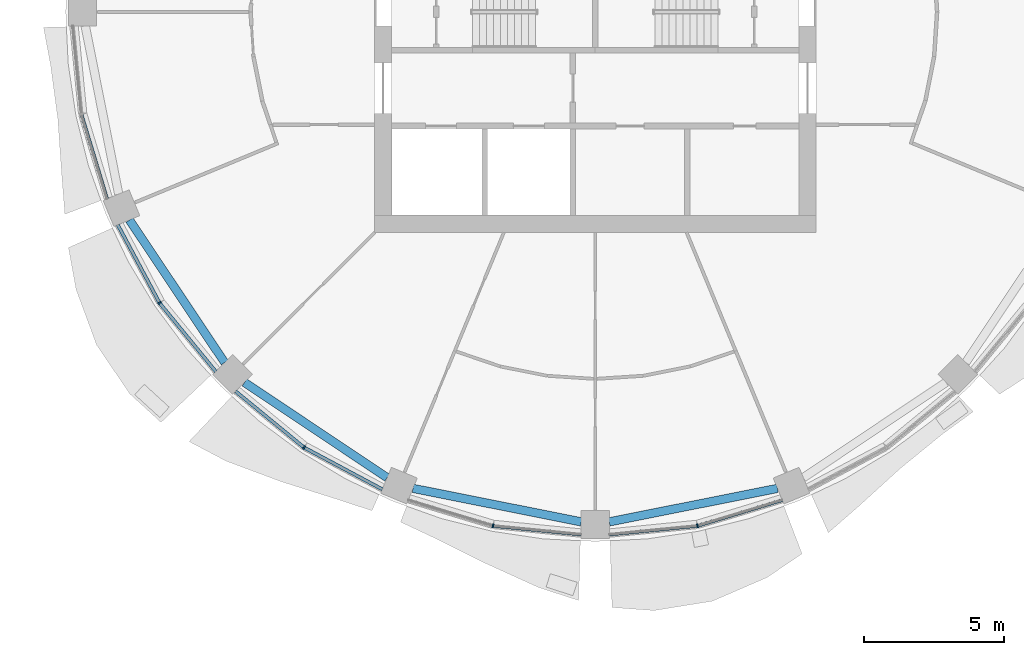
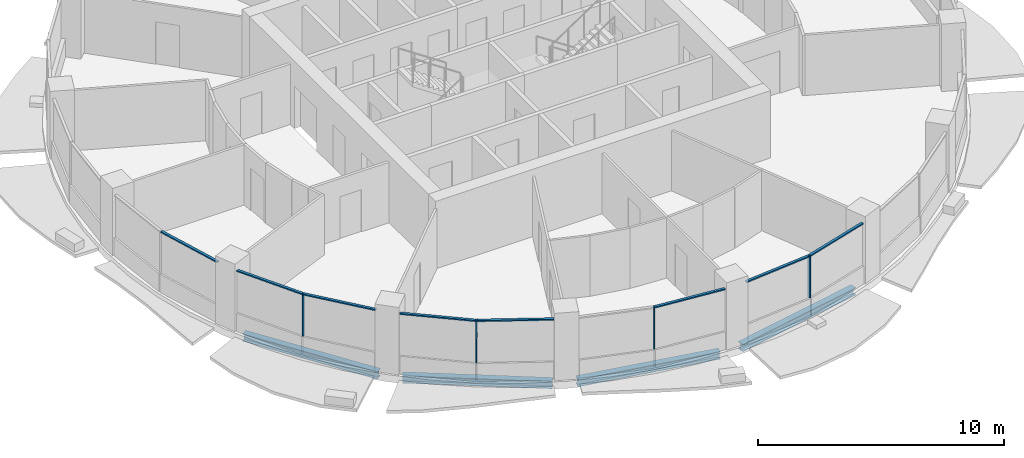
# One storey, part 2 of 14: 12 members, 4 beams, 5 elements without a shape of their own.
"""IFC4 building model written with IfcOpenShell, lengths in metres."""

from ifc_helpers import new_model, si_unit, direction, frame, origin, origin_2d, place, context, subcontext, project, spatial, rectangle, i_section, extrude, material, material_profile, profile_set, type_object, element, aggregate, save


model = new_model("IFC4")

# Units and contexts
model_context = context("Model", 3, precision=1e-05, world=origin(), true_north=direction((0.0, 1.0)))
body_context = subcontext(model_context, "Body", "Model", "MODEL_VIEW")
ifc_project = project(units=[si_unit("LENGTHUNIT", "METRE"), si_unit("AREAUNIT", "SQUARE_METRE"), si_unit("VOLUMEUNIT", "CUBIC_METRE"), si_unit("PLANEANGLEUNIT", "RADIAN"), si_unit("MASSUNIT", "GRAM", prefix="KILO")], contexts=[model_context])

# Site, building, storey
site_placement = place(None, origin())
site = spatial("IfcSite", under=ifc_project, at=site_placement, CompositionType="ELEMENT")
building_placement = place(site_placement, origin())
building = spatial("IfcBuilding", under=site, at=building_placement, Name="Polderwave Tower", CompositionType="ELEMENT")
storey_placement = place(building_placement, frame((0.0, 0.0, 147.75)))
storey = spatial("IfcBuildingStorey", under=building, at=storey_placement, Name="L39", CompositionType="ELEMENT", Elevation=147.75)

# Curtain wall, member
ifc_material_1 = material(Name="Aluminium 6063-T6 and glass", Category="aluminium")
curtain_wall_type = type_object("IfcCurtainWallType", Name="Office ribbon glazing wall", PredefinedType="NOTDEFINED", material=ifc_material_1)
curtain_wall_1_placement = place(storey_placement, origin())
curtain_wall_1 = element("IfcCurtainWall", 1, at=curtain_wall_1_placement, inside=storey, type_object=curtain_wall_type, Name="CW3 L39 09", PredefinedType="NOTDEFINED")
ifc_material_2 = material(Name="Aluminium 6063-T6", Category="aluminium")
ifc_material_profile_1 = material_profile(ifc_material_2, rectangle(XDim=0.139892578125, YDim=0.054931640625, at=origin_2d()), Name="AL 55x140")
ifc_profile_set_1 = profile_set([ifc_material_profile_1], Name="Aluminium 6063-T6")
member_type_1 = type_object("IfcMemberType", Name="Office ribbon glazing mullion 55x140", PredefinedType="MULLION", material=ifc_profile_set_1)
member_1_placement = place(storey_placement, frame((-15.548095703125, -10.388916015625, 0.89990234375), z_axis=(0.0, 0.0, 1.0), x_axis=(0.831508396395, 0.555512184136, 0.0)))
member_1 = element("IfcMember", 2, at=member_1_placement, type_object=member_type_1, Name="CW3 mullion 1", PredefinedType="MULLION", context=body_context, shape_type="SweptSolid", body=[
    extrude(rectangle(XDim=0.139892578125, YDim=0.054931640625, at=origin_2d()), origin(), (0.0, 0.0, 1.0), 2.10009765625),
])

curtain_wall_2_placement = place(storey_placement, origin())
curtain_wall_2 = element("IfcCurtainWall", 3, at=curtain_wall_2_placement, inside=storey, type_object=curtain_wall_type, Name="CW3 L39 10", PredefinedType="NOTDEFINED")
member_2_placement = place(storey_placement, frame((-10.388916015625, -15.548095703125, 0.89990234375), z_axis=(0.0, 0.0, 1.0), x_axis=(0.555512184136, 0.831508396395, 0.0)))
member_2 = element("IfcMember", 4, at=member_2_placement, type_object=member_type_1, Name="CW3 mullion 1", PredefinedType="MULLION", context=body_context, shape_type="SweptSolid", body=[
    extrude(rectangle(XDim=0.139892578125, YDim=0.054931640625, at=origin_2d()), origin(), (0.0, 0.0, 1.0), 2.10009765625),
])

curtain_wall_3_placement = place(storey_placement, origin())
curtain_wall_3 = element("IfcCurtainWall", 5, at=curtain_wall_3_placement, inside=storey, type_object=curtain_wall_type, Name="CW3 L39 11", PredefinedType="NOTDEFINED")
member_3_placement = place(storey_placement, frame((-3.64794921875, -18.341064453125, 0.89990234375), z_axis=(0.0, 0.0, 1.0), x_axis=(0.195196452055, 0.980764163857, 0.0)))
member_3 = element("IfcMember", 6, at=member_3_placement, type_object=member_type_1, Name="CW3 mullion 1", PredefinedType="MULLION", context=body_context, shape_type="SweptSolid", body=[
    extrude(rectangle(XDim=0.139892578125, YDim=0.054931640625, at=origin_2d()), origin(), (0.0, 0.0, 1.0), 2.10009765625),
])

curtain_wall_4_placement = place(storey_placement, origin())
curtain_wall_4 = element("IfcCurtainWall", 7, at=curtain_wall_4_placement, inside=storey, type_object=curtain_wall_type, Name="CW3 L39 12", PredefinedType="NOTDEFINED")
member_4_placement = place(storey_placement, frame((3.64794921875, -18.341064453125, 0.89990234375), z_axis=(0.0, 0.0, 1.0), x_axis=(-0.195196452055, 0.980764163857, 0.0)))
member_4 = element("IfcMember", 8, at=member_4_placement, type_object=member_type_1, Name="CW3 mullion 1", PredefinedType="MULLION", context=body_context, shape_type="SweptSolid", body=[
    extrude(rectangle(XDim=0.139892578125, YDim=0.054931640625, at=origin_2d()), origin(), (0.0, 0.0, 1.0), 2.10009765625),
])

curtain_wall_5_placement = place(storey_placement, origin())
curtain_wall_5 = element("IfcCurtainWall", 9, at=curtain_wall_5_placement, inside=storey, type_object=curtain_wall_type, Name="CW3 L39 08", PredefinedType="NOTDEFINED")
ifc_material_profile_2 = material_profile(ifc_material_2, rectangle(XDim=0.1201171875, YDim=0.06005859375, at=origin_2d()), Name="AL 60x120")
ifc_profile_set_2 = profile_set([ifc_material_profile_2], Name="Aluminium 6063-T6")
member_type_2 = type_object("IfcMemberType", Name="Office ribbon glazing transom 60x120", PredefinedType="USERDEFINED", material=ifc_profile_set_2)
member_5_placement = place(storey_placement, frame((-18.3330078125, -3.67431640625, 2.969970703125), z_axis=(0.290467601512, -0.956884827172, 0.0), x_axis=(0.956884827172, 0.290467601512, 0.0)))
member_5 = element("IfcMember", 10, at=member_5_placement, type_object=member_type_2, Name="CW3 transom 2", ObjectType="TRANSOM", PredefinedType="USERDEFINED", context=body_context, shape_type="SweptSolid", body=[
    extrude(rectangle(XDim=0.1201171875, YDim=0.06005859375, at=origin_2d()), origin(), (0.0, 0.0, 1.0), 3.135986328125),
])
aggregate(curtain_wall_5, [member_5])

# Member
member_6_placement = place(storey_placement, frame((-17.0400390625, -7.59912109375, 2.969970703125), z_axis=(0.471581867996, -0.881822284691, 0.0), x_axis=(0.881822284691, 0.471581867996, 0.0)))
member_6 = element("IfcMember", 11, at=member_6_placement, type_object=member_type_2, Name="CW3 transom 1", ObjectType="TRANSOM", PredefinedType="USERDEFINED", context=body_context, shape_type="SweptSolid", body=[
    extrude(rectangle(XDim=0.1201171875, YDim=0.06005859375, at=origin_2d()), origin(), (0.0, 0.0, 1.0), 3.13623046875),
])

member_7_placement = place(storey_placement, frame((-15.530517578125, -10.410400390625, 2.969970703125), z_axis=(0.634153141657, -0.773207470816, 0.0), x_axis=(0.773207470816, 0.634153141657, 0.0)))
member_7 = element("IfcMember", 12, at=member_7_placement, type_object=member_type_2, Name="CW3 transom 2", ObjectType="TRANSOM", PredefinedType="USERDEFINED", context=body_context, shape_type="SweptSolid", body=[
    extrude(rectangle(XDim=0.1201171875, YDim=0.06005859375, at=origin_2d()), origin(), (0.0, 0.0, 1.0), 3.1357421875),
])

aggregate(curtain_wall_1, [member_1, member_6, member_7])

member_8_placement = place(storey_placement, frame((-12.8349609375, -13.5419921875, 2.969970703125), z_axis=(0.773207470816, -0.634153141657, 0.0), x_axis=(0.634153141657, 0.773207470816, 0.0)))
member_8 = element("IfcMember", 13, at=member_8_placement, type_object=member_type_2, Name="CW3 transom 1", ObjectType="TRANSOM", PredefinedType="USERDEFINED", context=body_context, shape_type="SweptSolid", body=[
    extrude(rectangle(XDim=0.1201171875, YDim=0.06005859375, at=origin_2d()), origin(), (0.0, 0.0, 1.0), 3.1357421875),
])

member_9_placement = place(storey_placement, frame((-10.36474609375, -15.56103515625, 2.969970703125), z_axis=(0.881822284691, -0.471581867996, 0.0), x_axis=(0.471581867996, 0.881822284691, 0.0)))
member_9 = element("IfcMember", 14, at=member_9_placement, type_object=member_type_2, Name="CW3 transom 2", ObjectType="TRANSOM", PredefinedType="USERDEFINED", context=body_context, shape_type="SweptSolid", body=[
    extrude(rectangle(XDim=0.1201171875, YDim=0.06005859375, at=origin_2d()), origin(), (0.0, 0.0, 1.0), 3.13623046875),
])

aggregate(curtain_wall_2, [member_2, member_8, member_9])

member_10_placement = place(storey_placement, frame((-3.62060546875, -18.34375, 2.969970703125), z_axis=(0.995191689442, -0.097946420382, 0.0), x_axis=(0.097946420382, 0.995191689442, 0.0)))
member_10 = element("IfcMember", 15, at=member_10_placement, type_object=member_type_2, Name="CW3 transom 2", ObjectType="TRANSOM", PredefinedType="USERDEFINED", context=body_context, shape_type="SweptSolid", body=[
    extrude(rectangle(XDim=0.1201171875, YDim=0.06005859375, at=origin_2d()), origin(), (0.0, 0.0, 1.0), 3.1357421875),
])

aggregate(curtain_wall_3, [member_3, member_10])

member_11_placement = place(storey_placement, frame((0.5, -18.65087890625, 2.969970703125), z_axis=(0.995191689442, 0.097946420382, 0.0), x_axis=(-0.097946420382, 0.995191689442, 0.0)))
member_11 = element("IfcMember", 16, at=member_11_placement, type_object=member_type_2, Name="CW3 transom 1", ObjectType="TRANSOM", PredefinedType="USERDEFINED", context=body_context, shape_type="SweptSolid", body=[
    extrude(rectangle(XDim=0.1201171875, YDim=0.06005859375, at=origin_2d()), origin(), (0.0, 0.0, 1.0), 3.1357421875),
])

member_12_placement = place(storey_placement, frame((3.67431640625, -18.3330078125, 2.969970703125), z_axis=(0.956884827172, 0.290467601512, 0.0), x_axis=(-0.290467601512, 0.956884827172, 0.0)))
member_12 = element("IfcMember", 17, at=member_12_placement, type_object=member_type_2, Name="CW3 transom 2", ObjectType="TRANSOM", PredefinedType="USERDEFINED", context=body_context, shape_type="SweptSolid", body=[
    extrude(rectangle(XDim=0.1201171875, YDim=0.06005859375, at=origin_2d()), origin(), (0.0, 0.0, 1.0), 3.135986328125),
])

aggregate(curtain_wall_4, [member_4, member_11, member_12])

# Beams
ifc_material_3 = material(Name="Steel S355", Category="steel")
ifc_material_profile_3 = material_profile(ifc_material_3, i_section(OverallWidth=0.300048828125, OverallDepth=0.360107421875, WebThickness=0.012451171875, FlangeThickness=0.0224609375, at=origin_2d()), Name="HE 360 B")
ifc_profile_set_3 = profile_set([ifc_material_profile_3], Name="Steel S355")
beam_type = type_object("IfcBeamType", Name="RING BEAM HE 360 B", PredefinedType="BEAM", material=ifc_profile_set_3)
for number, where, z_axis, x_axis, name in (
    (18, (-16.623779296875, -7.427001953125, -0.530029296875), (0.555565167003, -0.831472997284, 0.0), (0.831472997284, 0.555565167003, 0.0), "ST-RB-L39-09"),
    (19, (-12.51611328125, -13.223388671875, -0.530029296875), (0.831472997284, -0.555565167003, 0.0), (0.555565167003, 0.831472997284, 0.0), "ST-RB-L39-10"),
):
    element("IfcBeam", number, at=place(storey_placement, frame(where, z_axis=z_axis, x_axis=x_axis)), inside=storey, type_object=beam_type, Name=name, PredefinedType="BEAM", context=body_context, shape_type="SweptSolid", body=[
        extrude(i_section(OverallWidth=0.300048828125, OverallDepth=0.360107421875, WebThickness=0.012451171875, FlangeThickness=0.0224609375, at=origin_2d()), origin(), (0.0, 0.0, 1.0), 6.12060546875),
    ])
for number, where, z_axis, x_axis, name in (
    (20, (-6.503173828125, -17.00634765625, -0.530029296875), (0.980785709335, -0.195088165617, 0.0), (0.195088165617, 0.980785709335, 0.0), "ST-RB-L39-11"),
    (21, (0.5, -18.200439453125, -0.530029296875), (0.980785709335, 0.195088165617, 0.0), (-0.195088165617, 0.980785709335, 0.0), "ST-RB-L39-12"),
):
    element("IfcBeam", number, at=place(storey_placement, frame(where, z_axis=z_axis, x_axis=x_axis)), inside=storey, type_object=beam_type, Name=name, PredefinedType="BEAM", context=body_context, shape_type="SweptSolid", body=[
        extrude(i_section(OverallWidth=0.300048828125, OverallDepth=0.360107421875, WebThickness=0.012451171875, FlangeThickness=0.0224609375, at=origin_2d()), origin(), (0.0, 0.0, 1.0), 6.120849609375),
    ])

save(model, "model.ifc")
